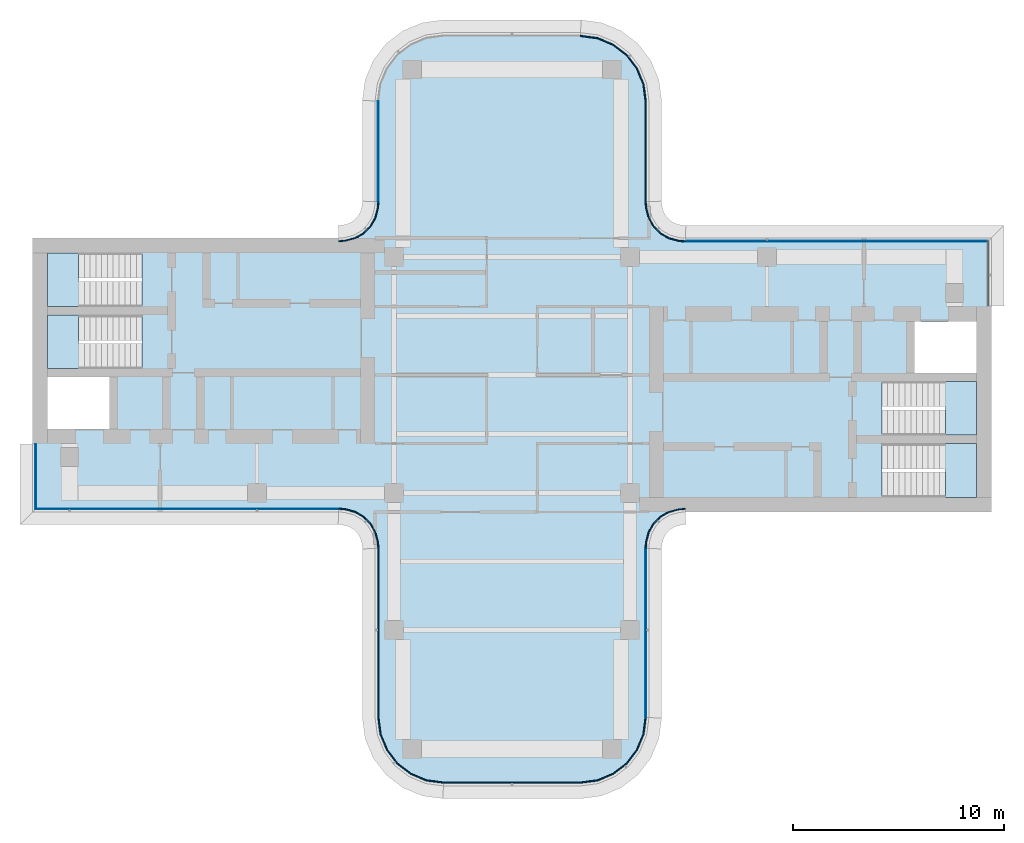
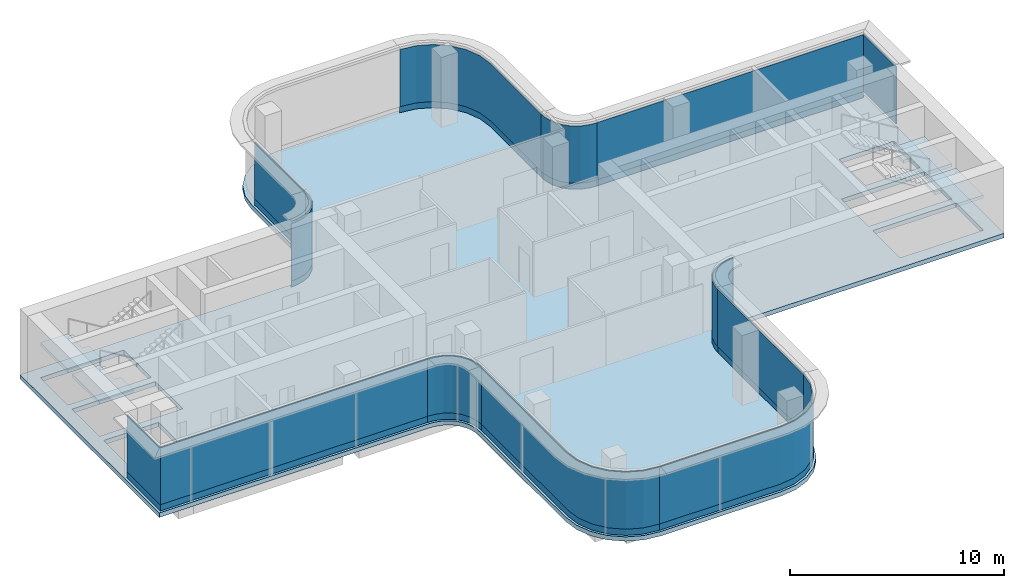
# One storey, part 7 of 11: 25 plates, 5 slabs, 17 elements without a shape of their own.
"""IFC4 building model written with IfcOpenShell, lengths in metres."""

from ifc_helpers import new_model, si_unit, direction, frame, origin, place, context, subcontext, project, spatial, polyline, outline, extrude, source, transform, mapped, material, layer, layer_set, type_object, element, aggregate, save


model = new_model("IFC4")

# Units and contexts
model_context = context("Model", 3, precision=1e-05, world=origin(), true_north=direction((0.0, 1.0)))
body_context = subcontext(model_context, "Body", "Model", "MODEL_VIEW")
ifc_project = project(units=[si_unit("LENGTHUNIT", "METRE"), si_unit("AREAUNIT", "SQUARE_METRE"), si_unit("VOLUMEUNIT", "CUBIC_METRE"), si_unit("PLANEANGLEUNIT", "RADIAN"), si_unit("MASSUNIT", "GRAM", prefix="KILO")], contexts=[model_context])

# Site, building, storey
site_placement = place(None, origin())
site = spatial("IfcSite", under=ifc_project, at=site_placement, CompositionType="ELEMENT")
building_placement = place(site_placement, origin())
building = spatial("IfcBuilding", under=site, at=building_placement, Name="Trellis Farm Tower", CompositionType="ELEMENT")
storey_placement = place(building_placement, frame((0.0, 0.0, 342.10009765625)))
storey = spatial("IfcBuildingStorey", under=building, at=storey_placement, Name="L77", CompositionType="ELEMENT", Elevation=342.10009765625)

# Curtain wall, plates
ifc_material_1 = material(Name="Aluminium and glass curtain wall", Category="aluminium")
ifc_layer_1 = layer(ifc_material_1, 0.176025390625)
ifc_layer_set_1 = layer_set([ifc_layer_1], Name="CROWN LANTERN CURTAIN WALL CW5")
curtain_wall_type = type_object("IfcCurtainWallType", Name="CROWN LANTERN CURTAIN WALL CW5", PredefinedType="NOTDEFINED", material=ifc_layer_set_1)
placement_1 = place(storey_placement, origin())
curtain_wall_1 = element("IfcCurtainWall", 1, at=placement_1, inside=storey, type_object=curtain_wall_type, Name="CW5 002", PredefinedType="NOTDEFINED")
ifc_material_2 = material(Name="Clear insulated glass", Category="glass")
ifc_layer_2 = layer(ifc_material_2, 0.055908203125)
ifc_layer_set_2 = layer_set([ifc_layer_2], Name="CW5 GLASS PANEL 56")
plate_type_1 = type_object("IfcPlateType", Name="CW5 GLASS PANEL 56", PredefinedType="CURTAIN_PANEL", material=ifc_layer_set_2)
placement_2 = place(storey_placement, frame((0.0, 0.0, 0.349853515625)))
plate_1 = element("IfcPlate", 2, at=placement_2, type_object=plate_type_1, Name="PL5 002", PredefinedType="CURTAIN_PANEL", context=body_context, shape_type="SweptSolid", body=[
    extrude(outline(polyline([(-3.2421875, -19.3798828125), (3.2421875, -19.3798828125), (4.059814453125, -19.2724609375), (4.814453125, -18.959716796875), (5.46240234375, -18.46240234375), (5.959716796875, -17.814453125), (6.2724609375, -17.059814453125), (6.3798828125, -16.2421875), (6.323974609375, -16.238525390625), (6.2177734375, -17.045166015625), (5.910888671875, -17.7861328125), (5.422607421875, -18.422607421875), (4.7861328125, -18.910888671875), (4.045166015625, -19.2177734375), (3.238525390625, -19.323974609375), (-3.238525390625, -19.323974609375), (-3.2421875, -19.3798828125)])), origin(), (0.0, 0.0, 1.0), 3.25),
])
ifc_material_3 = material(Name="Sandstone faced insulated panel", Category="masonry")
ifc_layer_3 = layer(ifc_material_3, 0.044921875)
ifc_layer_set_3 = layer_set([ifc_layer_3], Name="CW5 STONE SPANDREL PANEL 45")
plate_type_2 = type_object("IfcPlateType", Name="CW5 STONE SPANDREL PANEL 45", PredefinedType="CURTAIN_PANEL", material=ifc_layer_set_3)
plate_2 = element("IfcPlate", 3, at=placement_1, type_object=plate_type_2, Name="PS5 002", PredefinedType="CURTAIN_PANEL", context=body_context, shape_type="SweptSolid", body=[
    extrude(outline(polyline([(-3.2421875, -19.3798828125), (3.2421875, -19.3798828125), (4.059814453125, -19.2724609375), (4.814453125, -18.959716796875), (5.46240234375, -18.46240234375), (5.959716796875, -17.814453125), (6.2724609375, -17.059814453125), (6.3798828125, -16.2421875), (6.3349609375, -16.2392578125), (6.228515625, -17.048095703125), (5.92041015625, -17.791748046875), (5.430419921875, -18.430419921875), (4.791748046875, -18.92041015625), (4.048095703125, -19.228515625), (3.2392578125, -19.3349609375), (-3.2392578125, -19.3349609375), (-3.2421875, -19.3798828125)])), origin(), (0.0, 0.0, 1.0), 0.349853515625),
])
aggregate(curtain_wall_1, [plate_1, plate_2])

# Slab
ifc_material_4 = material(Name="Concrete C40/50", Category="concrete")
ifc_layer_4 = layer(ifc_material_4, 0.25)
ifc_layer_set_4 = layer_set([ifc_layer_4], Name="Composite deck floor slab 250")
slab_type_1 = type_object("IfcSlabType", Name="Composite deck floor slab 250", PredefinedType="FLOOR", material=ifc_layer_set_4)
shared_shape_1 = source(origin(), body_context, "Body", "SweptSolid", [
    extrude(outline(polyline([(-22.75, 6.5), (-8.2314453125, 6.5), (-8.01953125, 6.513916015625), (-7.91552734375, 6.527587890625), (-7.508544921875, 6.63671875), (-7.144287109375, 6.846923828125), (-6.846923828125, 7.144287109375), (-6.63671875, 7.508544921875), (-6.527587890625, 7.91552734375), (-6.513916015625, 8.01953125), (-6.5, 8.2314453125), (-6.5, 13.0), (-6.389404296875, 13.84130859375), (-6.064697265625, 14.625), (-5.548095703125, 15.298095703125), (-4.875, 15.814697265625), (-4.09130859375, 16.139404296875), (-3.25, 16.25), (3.25, 16.25), (4.09130859375, 16.139404296875), (4.875, 15.814697265625), (5.548095703125, 15.298095703125), (6.064697265625, 14.625), (6.389404296875, 13.84130859375), (6.5, 13.0), (6.5, 8.2314453125), (6.513916015625, 8.01953125), (6.527587890625, 7.91552734375), (6.63671875, 7.508544921875), (6.846923828125, 7.144287109375), (7.144287109375, 6.846923828125), (7.508544921875, 6.63671875), (7.91552734375, 6.527587890625), (8.01953125, 6.513916015625), (8.2314453125, 6.5), (22.75, 6.5), (22.75, -6.5), (8.2314453125, -6.5), (8.01953125, -6.513916015625), (7.91552734375, -6.527587890625), (7.508544921875, -6.63671875), (7.144287109375, -6.846923828125), (6.846923828125, -7.144287109375), (6.63671875, -7.508544921875), (6.527587890625, -7.91552734375), (6.513916015625, -8.01953125), (6.5, -8.2314453125), (6.5, -16.25), (6.389404296875, -17.09130859375), (6.064697265625, -17.875), (5.548095703125, -18.548095703125), (4.875, -19.064697265625), (4.09130859375, -19.389404296875), (3.25, -19.5), (-3.25, -19.5), (-4.09130859375, -19.389404296875), (-4.875, -19.064697265625), (-5.548095703125, -18.548095703125), (-6.064697265625, -17.875), (-6.389404296875, -17.09130859375), (-6.5, -16.25), (-6.5, -8.2314453125), (-6.513916015625, -8.01953125), (-6.527587890625, -7.91552734375), (-6.63671875, -7.508544921875), (-6.846923828125, -7.144287109375), (-7.144287109375, -6.846923828125), (-7.508544921875, -6.63671875), (-7.91552734375, -6.527587890625), (-8.01953125, -6.513916015625), (-8.2314453125, -6.5), (-22.75, -6.5), (-22.75, 6.5)]), holes=[polyline([(22.050048828125, -5.800048828125), (22.050048828125, -3.25), (17.56005859375, -3.25), (17.56005859375, -4.449951171875), (17.550048828125, -4.449951171875), (17.550048828125, -4.60009765625), (17.56201171875, -4.60009765625), (17.56201171875, -5.800048828125), (22.050048828125, -5.800048828125)]), polyline([(17.56201171875, -2.85009765625), (22.050048828125, -2.85009765625), (22.050048828125, -0.300048828125), (17.56005859375, -0.300048828125), (17.56005859375, -1.5), (17.550048828125, -1.5), (17.550048828125, -1.64990234375), (17.56201171875, -1.64990234375), (17.56201171875, -2.85009765625)]), polyline([(-22.050048828125, -2.550048828125), (-19.10009765625, -2.550048828125), (-19.10009765625, -0.10009765625), (-22.050048828125, -0.10009765625), (-22.050048828125, -2.550048828125)]), polyline([(19.10009765625, 2.550048828125), (19.10009765625, 0.10009765625), (22.050048828125, 0.10009765625), (22.050048828125, 2.550048828125), (19.10009765625, 2.550048828125)]), polyline([(-17.56201171875, 2.85009765625), (-22.050048828125, 2.85009765625), (-22.050048828125, 0.300048828125), (-17.56005859375, 0.300048828125), (-17.56005859375, 1.5), (-17.550048828125, 1.5), (-17.550048828125, 1.64990234375), (-17.56201171875, 1.64990234375), (-17.56201171875, 2.85009765625)]), polyline([(-17.56201171875, 5.800048828125), (-22.050048828125, 5.800048828125), (-22.050048828125, 3.25), (-17.56005859375, 3.25), (-17.56005859375, 4.449951171875), (-17.550048828125, 4.449951171875), (-17.550048828125, 4.60009765625), (-17.56201171875, 4.60009765625), (-17.56201171875, 5.800048828125)])]), origin(), (0.0, 0.0, 1.0), 0.25),
])
slab_1_placement = place(storey_placement, frame((0.0, 0.0, -0.25)))
element("IfcSlab", 4, at=slab_1_placement, inside=storey, type_object=slab_type_1, Name="Floor slab", PredefinedType="FLOOR", context=body_context, shape_type="MappedRepresentation", body=[
    mapped(shared_shape_1, transform((0.0, 0.0, 0.0))),
])

# Stair, slab
ifc_material_5 = material(Name="Concrete C50/60", Category="concrete")
stair_type = type_object("IfcStairType", Name="CORE EXIT STAIR 24 RISERS 167 MM", PredefinedType="HALF_TURN_STAIR", material=ifc_material_5)
stair_1 = element("IfcStair", 5, at=placement_1, inside=storey, type_object=stair_type, Name="Exit stair E1", PredefinedType="HALF_TURN_STAIR")
ifc_layer_5 = layer(ifc_material_5, 0.179931640625)
ifc_layer_set_5 = layer_set([ifc_layer_5], Name="CORE STAIR LANDING 180 CONCRETE C50/60")
slab_type_2 = type_object("IfcSlabType", Name="CORE STAIR LANDING 180 CONCRETE C50/60", PredefinedType="LANDING", material=ifc_layer_set_5)
shared_shape_2 = source(origin(), body_context, "Body", "SweptSolid", [
    extrude(outline(polyline([(20.56494140625, -5.800048828125), (20.56494140625, -4.60009765625), (20.574951171875, -4.60009765625), (20.574951171875, -4.449951171875), (20.21240234375, -4.449951171875), (20.21240234375, -3.25), (20.574951171875, -3.25), (22.050048828125, -3.25), (22.050048828125, -5.800048828125), (20.574951171875, -5.800048828125), (20.56494140625, -5.800048828125)])), origin(), (0.0, 0.0, 1.0), 0.18017578125),
])
placement_3 = place(storey_placement, frame((0.0, 0.0, 1.81982421875)))
slab_2 = element("IfcSlab", 6, at=placement_3, type_object=slab_type_2, Name="STE1 landing 1", PredefinedType="LANDING", context=body_context, shape_type="MappedRepresentation", body=[
    mapped(shared_shape_2, transform((0.0, 0.0, 0.0))),
])
aggregate(stair_1, [slab_2])

stair_2 = element("IfcStair", 7, at=placement_1, inside=storey, type_object=stair_type, Name="Exit stair E2", PredefinedType="HALF_TURN_STAIR")
shared_shape_3 = source(origin(), body_context, "Body", "SweptSolid", [
    extrude(outline(polyline([(20.56494140625, -2.85009765625), (20.56494140625, -1.64990234375), (20.574951171875, -1.64990234375), (20.574951171875, -1.5), (20.21240234375, -1.5), (20.21240234375, -0.300048828125), (20.574951171875, -0.300048828125), (22.050048828125, -0.300048828125), (22.050048828125, -2.85009765625), (20.574951171875, -2.85009765625), (20.56494140625, -2.85009765625)])), origin(), (0.0, 0.0, 1.0), 0.18017578125),
])
slab_3 = element("IfcSlab", 8, at=placement_3, type_object=slab_type_2, Name="STE2 landing 1", PredefinedType="LANDING", context=body_context, shape_type="MappedRepresentation", body=[
    mapped(shared_shape_3, transform((0.0, 0.0, 0.0))),
])
aggregate(stair_2, [slab_3])

stair_3 = element("IfcStair", 9, at=placement_1, inside=storey, type_object=stair_type, Name="Exit stair W1", PredefinedType="HALF_TURN_STAIR")
shared_shape_4 = source(origin(), body_context, "Body", "SweptSolid", [
    extrude(outline(polyline([(-20.21240234375, 4.449951171875), (-20.21240234375, 3.25), (-20.574951171875, 3.25), (-22.050048828125, 3.25), (-22.050048828125, 5.800048828125), (-20.574951171875, 5.800048828125), (-20.56494140625, 5.800048828125), (-20.56494140625, 4.60009765625), (-20.574951171875, 4.60009765625), (-20.574951171875, 4.449951171875), (-20.21240234375, 4.449951171875)])), origin(), (0.0, 0.0, 1.0), 0.18017578125),
])
slab_4 = element("IfcSlab", 10, at=placement_3, type_object=slab_type_2, Name="STW1 landing 1", PredefinedType="LANDING", context=body_context, shape_type="MappedRepresentation", body=[
    mapped(shared_shape_4, transform((0.0, 0.0, 0.0))),
])
aggregate(stair_3, [slab_4])

stair_4 = element("IfcStair", 11, at=placement_1, inside=storey, type_object=stair_type, Name="Exit stair W2", PredefinedType="HALF_TURN_STAIR")
shared_shape_5 = source(origin(), body_context, "Body", "SweptSolid", [
    extrude(outline(polyline([(-20.21240234375, 1.5), (-20.21240234375, 0.300048828125), (-20.574951171875, 0.300048828125), (-22.050048828125, 0.300048828125), (-22.050048828125, 2.85009765625), (-20.574951171875, 2.85009765625), (-20.56494140625, 2.85009765625), (-20.56494140625, 1.64990234375), (-20.574951171875, 1.64990234375), (-20.574951171875, 1.5), (-20.21240234375, 1.5)])), origin(), (0.0, 0.0, 1.0), 0.18017578125),
])
slab_5 = element("IfcSlab", 12, at=placement_3, type_object=slab_type_2, Name="STW2 landing 1", PredefinedType="LANDING", context=body_context, shape_type="MappedRepresentation", body=[
    mapped(shared_shape_5, transform((0.0, 0.0, 0.0))),
])
aggregate(stair_4, [slab_5])

# Curtain wall, plates
curtain_wall_2 = element("IfcCurtainWall", 13, at=placement_1, inside=storey, type_object=curtain_wall_type, Name="CW5 001", PredefinedType="NOTDEFINED")
shared_shape_6 = source(origin(), body_context, "Body", "SweptSolid", [
    extrude(outline(polyline([(-6.3798828125, -8.2275390625), (-6.3798828125, -16.2421875), (-6.2724609375, -17.059814453125), (-5.959716796875, -17.814453125), (-5.46240234375, -18.46240234375), (-4.814453125, -18.959716796875), (-4.059814453125, -19.2724609375), (-3.2421875, -19.3798828125), (-3.238525390625, -19.323974609375), (-4.045166015625, -19.2177734375), (-4.7861328125, -18.910888671875), (-5.422607421875, -18.422607421875), (-5.910888671875, -17.7861328125), (-6.2177734375, -17.045166015625), (-6.323974609375, -16.238525390625), (-6.323974609375, -8.2255859375), (-6.3798828125, -8.2275390625)])), origin(), (0.0, 0.0, 1.0), 3.25),
])
plate_3 = element("IfcPlate", 14, at=placement_2, type_object=plate_type_1, Name="PL5 001", PredefinedType="CURTAIN_PANEL", context=body_context, shape_type="MappedRepresentation", body=[
    mapped(shared_shape_6, transform((0.0, 0.0, 0.0))),
])
shared_shape_7 = source(origin(), body_context, "Body", "SweptSolid", [
    extrude(outline(polyline([(-6.3798828125, -8.2275390625), (-6.3798828125, -16.2421875), (-6.2724609375, -17.059814453125), (-5.959716796875, -17.814453125), (-5.46240234375, -18.46240234375), (-4.814453125, -18.959716796875), (-4.059814453125, -19.2724609375), (-3.2421875, -19.3798828125), (-3.2392578125, -19.3349609375), (-4.048095703125, -19.228515625), (-4.791748046875, -18.92041015625), (-5.430419921875, -18.430419921875), (-5.92041015625, -17.791748046875), (-6.228515625, -17.048095703125), (-6.3349609375, -16.2392578125), (-6.3349609375, -8.22607421875), (-6.3798828125, -8.2275390625)])), origin(), (0.0, 0.0, 1.0), 0.349853515625),
])
plate_4 = element("IfcPlate", 15, at=placement_1, type_object=plate_type_2, Name="PS5 001", PredefinedType="CURTAIN_PANEL", context=body_context, shape_type="MappedRepresentation", body=[
    mapped(shared_shape_7, transform((0.0, 0.0, 0.0))),
])
aggregate(curtain_wall_2, [plate_3, plate_4])

curtain_wall_3 = element("IfcCurtainWall", 16, at=placement_1, inside=storey, type_object=curtain_wall_type, Name="CW5 003", PredefinedType="NOTDEFINED")
shared_shape_8 = source(origin(), body_context, "Body", "SweptSolid", [
    extrude(outline(polyline([(6.3798828125, -16.2421875), (6.3798828125, -8.2275390625), (6.323974609375, -8.2255859375), (6.323974609375, -16.238525390625), (6.3798828125, -16.2421875)])), origin(), (0.0, 0.0, 1.0), 3.25),
])
plate_5 = element("IfcPlate", 17, at=placement_2, type_object=plate_type_1, Name="PL5 003", PredefinedType="CURTAIN_PANEL", context=body_context, shape_type="MappedRepresentation", body=[
    mapped(shared_shape_8, transform((0.0, 0.0, 0.0))),
])
shared_shape_9 = source(origin(), body_context, "Body", "SweptSolid", [
    extrude(outline(polyline([(6.3798828125, -16.2421875), (6.3798828125, -8.2275390625), (6.3349609375, -8.22607421875), (6.3349609375, -16.2392578125), (6.3798828125, -16.2421875)])), origin(), (0.0, 0.0, 1.0), 0.349853515625),
])
plate_6 = element("IfcPlate", 18, at=placement_1, type_object=plate_type_2, Name="PS5 003", PredefinedType="CURTAIN_PANEL", context=body_context, shape_type="MappedRepresentation", body=[
    mapped(shared_shape_9, transform((0.0, 0.0, 0.0))),
])
aggregate(curtain_wall_3, [plate_5, plate_6])

curtain_wall_4 = element("IfcCurtainWall", 19, at=placement_1, inside=storey, type_object=curtain_wall_type, Name="CW5 004", PredefinedType="NOTDEFINED")
shared_shape_10 = source(origin(), body_context, "Body", "SweptSolid", [
    extrude(outline(polyline([(6.3798828125, -8.2275390625), (6.394287109375, -8.0078125), (6.40966796875, -7.89208984375), (6.52490234375, -7.462158203125), (6.7509765625, -7.070556640625), (7.070556640625, -6.7509765625), (7.462158203125, -6.52490234375), (7.89208984375, -6.40966796875), (8.0078125, -6.394287109375), (8.2275390625, -6.3798828125), (8.2255859375, -6.323974609375), (8.002197265625, -6.338623046875), (7.881103515625, -6.3544921875), (7.440673828125, -6.47265625), (7.0361328125, -6.7060546875), (6.7060546875, -7.0361328125), (6.47265625, -7.440673828125), (6.3544921875, -7.881103515625), (6.338623046875, -8.002197265625), (6.323974609375, -8.2255859375), (6.3798828125, -8.2275390625)])), origin(), (0.0, 0.0, 1.0), 3.25),
])
plate_7 = element("IfcPlate", 20, at=placement_2, type_object=plate_type_1, Name="PL5 004", PredefinedType="CURTAIN_PANEL", context=body_context, shape_type="MappedRepresentation", body=[
    mapped(shared_shape_10, transform((0.0, 0.0, 0.0))),
])
shared_shape_11 = source(origin(), body_context, "Body", "SweptSolid", [
    extrude(outline(polyline([(6.3798828125, -8.2275390625), (6.394287109375, -8.0078125), (6.40966796875, -7.89208984375), (6.52490234375, -7.462158203125), (6.7509765625, -7.070556640625), (7.070556640625, -6.7509765625), (7.462158203125, -6.52490234375), (7.89208984375, -6.40966796875), (8.0078125, -6.394287109375), (8.2275390625, -6.3798828125), (8.22607421875, -6.3349609375), (8.00341796875, -6.349609375), (7.88330078125, -6.365478515625), (7.44482421875, -6.48291015625), (7.04296875, -6.71484375), (6.71484375, -7.04296875), (6.48291015625, -7.44482421875), (6.365478515625, -7.88330078125), (6.349609375, -8.00341796875), (6.3349609375, -8.22607421875), (6.3798828125, -8.2275390625)])), origin(), (0.0, 0.0, 1.0), 0.349853515625),
])
plate_8 = element("IfcPlate", 21, at=placement_1, type_object=plate_type_2, Name="PS5 004", PredefinedType="CURTAIN_PANEL", context=body_context, shape_type="MappedRepresentation", body=[
    mapped(shared_shape_11, transform((0.0, 0.0, 0.0))),
])
aggregate(curtain_wall_4, [plate_7, plate_8])

curtain_wall_5 = element("IfcCurtainWall", 22, at=placement_1, inside=storey, type_object=curtain_wall_type, Name="CW5 006", PredefinedType="NOTDEFINED")
shared_shape_12 = source(origin(), body_context, "Body", "SweptSolid", [
    extrude(outline(polyline([(22.6298828125, 6.3798828125), (8.2275390625, 6.3798828125), (8.2255859375, 6.323974609375), (22.573974609375, 6.323974609375), (22.6298828125, 6.3798828125)])), origin(), (0.0, 0.0, 1.0), 3.25),
])
plate_9 = element("IfcPlate", 23, at=placement_2, type_object=plate_type_1, Name="PL5 006", PredefinedType="CURTAIN_PANEL", context=body_context, shape_type="MappedRepresentation", body=[
    mapped(shared_shape_12, transform((0.0, 0.0, 0.0))),
])
shared_shape_13 = source(origin(), body_context, "Body", "SweptSolid", [
    extrude(outline(polyline([(22.6298828125, 6.3798828125), (8.2275390625, 6.3798828125), (8.22607421875, 6.3349609375), (22.5849609375, 6.3349609375), (22.6298828125, 6.3798828125)])), origin(), (0.0, 0.0, 1.0), 0.349853515625),
])
plate_10 = element("IfcPlate", 24, at=placement_1, type_object=plate_type_2, Name="PS5 006", PredefinedType="CURTAIN_PANEL", context=body_context, shape_type="MappedRepresentation", body=[
    mapped(shared_shape_13, transform((0.0, 0.0, 0.0))),
])
aggregate(curtain_wall_5, [plate_9, plate_10])

curtain_wall_6 = element("IfcCurtainWall", 25, at=placement_1, inside=storey, type_object=curtain_wall_type, Name="CW5 007", PredefinedType="NOTDEFINED")
shared_shape_14 = source(origin(), body_context, "Body", "SweptSolid", [
    extrude(outline(polyline([(8.2275390625, 6.3798828125), (8.0078125, 6.394287109375), (7.89208984375, 6.40966796875), (7.462158203125, 6.52490234375), (7.070556640625, 6.7509765625), (6.7509765625, 7.070556640625), (6.52490234375, 7.462158203125), (6.40966796875, 7.89208984375), (6.394287109375, 8.0078125), (6.3798828125, 8.2275390625), (6.323974609375, 8.2255859375), (6.338623046875, 8.002197265625), (6.3544921875, 7.881103515625), (6.47265625, 7.440673828125), (6.7060546875, 7.0361328125), (7.0361328125, 6.7060546875), (7.440673828125, 6.47265625), (7.881103515625, 6.3544921875), (8.002197265625, 6.338623046875), (8.2255859375, 6.323974609375), (8.2275390625, 6.3798828125)])), origin(), (0.0, 0.0, 1.0), 3.25),
])
plate_11 = element("IfcPlate", 26, at=placement_2, type_object=plate_type_1, Name="PL5 007", PredefinedType="CURTAIN_PANEL", context=body_context, shape_type="MappedRepresentation", body=[
    mapped(shared_shape_14, transform((0.0, 0.0, 0.0))),
])
shared_shape_15 = source(origin(), body_context, "Body", "SweptSolid", [
    extrude(outline(polyline([(8.2275390625, 6.3798828125), (8.0078125, 6.394287109375), (7.89208984375, 6.40966796875), (7.462158203125, 6.52490234375), (7.070556640625, 6.7509765625), (6.7509765625, 7.070556640625), (6.52490234375, 7.462158203125), (6.40966796875, 7.89208984375), (6.394287109375, 8.0078125), (6.3798828125, 8.2275390625), (6.3349609375, 8.22607421875), (6.349609375, 8.00341796875), (6.365478515625, 7.88330078125), (6.48291015625, 7.44482421875), (6.71484375, 7.04296875), (7.04296875, 6.71484375), (7.44482421875, 6.48291015625), (7.88330078125, 6.365478515625), (8.00341796875, 6.349609375), (8.22607421875, 6.3349609375), (8.2275390625, 6.3798828125)])), origin(), (0.0, 0.0, 1.0), 0.349853515625),
])
plate_12 = element("IfcPlate", 27, at=placement_1, type_object=plate_type_2, Name="PS5 007", PredefinedType="CURTAIN_PANEL", context=body_context, shape_type="MappedRepresentation", body=[
    mapped(shared_shape_15, transform((0.0, 0.0, 0.0))),
])
aggregate(curtain_wall_6, [plate_11, plate_12])

curtain_wall_7 = element("IfcCurtainWall", 28, at=placement_1, inside=storey, type_object=curtain_wall_type, Name="CW5 008", PredefinedType="NOTDEFINED")
shared_shape_16 = source(origin(), body_context, "Body", "SweptSolid", [
    extrude(outline(polyline([(6.3798828125, 8.2275390625), (6.3798828125, 12.9921875), (6.2724609375, 13.809814453125), (5.959716796875, 14.564453125), (5.46240234375, 15.21240234375), (4.814453125, 15.709716796875), (4.059814453125, 16.0224609375), (3.2421875, 16.1298828125), (3.238525390625, 16.073974609375), (4.045166015625, 15.9677734375), (4.7861328125, 15.660888671875), (5.422607421875, 15.172607421875), (5.910888671875, 14.5361328125), (6.2177734375, 13.795166015625), (6.323974609375, 12.988525390625), (6.323974609375, 8.2255859375), (6.3798828125, 8.2275390625)])), origin(), (0.0, 0.0, 1.0), 3.25),
])
plate_13 = element("IfcPlate", 29, at=placement_2, type_object=plate_type_1, Name="PL5 008", PredefinedType="CURTAIN_PANEL", context=body_context, shape_type="MappedRepresentation", body=[
    mapped(shared_shape_16, transform((0.0, 0.0, 0.0))),
])
shared_shape_17 = source(origin(), body_context, "Body", "SweptSolid", [
    extrude(outline(polyline([(6.3798828125, 8.2275390625), (6.3798828125, 12.9921875), (6.2724609375, 13.809814453125), (5.959716796875, 14.564453125), (5.46240234375, 15.21240234375), (4.814453125, 15.709716796875), (4.059814453125, 16.0224609375), (3.2421875, 16.1298828125), (3.2392578125, 16.0849609375), (4.048095703125, 15.978515625), (4.791748046875, 15.67041015625), (5.430419921875, 15.180419921875), (5.92041015625, 14.541748046875), (6.228515625, 13.798095703125), (6.3349609375, 12.9892578125), (6.3349609375, 8.22607421875), (6.3798828125, 8.2275390625)])), origin(), (0.0, 0.0, 1.0), 0.349853515625),
])
plate_14 = element("IfcPlate", 30, at=placement_1, type_object=plate_type_2, Name="PS5 008", PredefinedType="CURTAIN_PANEL", context=body_context, shape_type="MappedRepresentation", body=[
    mapped(shared_shape_17, transform((0.0, 0.0, 0.0))),
])
aggregate(curtain_wall_7, [plate_13, plate_14])

curtain_wall_8 = element("IfcCurtainWall", 31, at=placement_1, inside=storey, type_object=curtain_wall_type, Name="CW5 010", PredefinedType="NOTDEFINED")
shared_shape_18 = source(origin(), body_context, "Body", "SweptSolid", [
    extrude(outline(polyline([(-6.3798828125, 12.9921875), (-6.3798828125, 8.2275390625), (-6.323974609375, 8.2255859375), (-6.323974609375, 12.988525390625), (-6.3798828125, 12.9921875)])), origin(), (0.0, 0.0, 1.0), 3.25),
])
plate_15 = element("IfcPlate", 32, at=placement_2, type_object=plate_type_1, Name="PL5 010", PredefinedType="CURTAIN_PANEL", context=body_context, shape_type="MappedRepresentation", body=[
    mapped(shared_shape_18, transform((0.0, 0.0, 0.0))),
])
shared_shape_19 = source(origin(), body_context, "Body", "SweptSolid", [
    extrude(outline(polyline([(-6.3798828125, 12.9921875), (-6.3798828125, 8.2275390625), (-6.3349609375, 8.22607421875), (-6.3349609375, 12.9892578125), (-6.3798828125, 12.9921875)])), origin(), (0.0, 0.0, 1.0), 0.349853515625),
])
plate_16 = element("IfcPlate", 33, at=placement_1, type_object=plate_type_2, Name="PS5 010", PredefinedType="CURTAIN_PANEL", context=body_context, shape_type="MappedRepresentation", body=[
    mapped(shared_shape_19, transform((0.0, 0.0, 0.0))),
])
aggregate(curtain_wall_8, [plate_15, plate_16])

curtain_wall_9 = element("IfcCurtainWall", 34, at=placement_1, inside=storey, type_object=curtain_wall_type, Name="CW5 011", PredefinedType="NOTDEFINED")
shared_shape_20 = source(origin(), body_context, "Body", "SweptSolid", [
    extrude(outline(polyline([(-6.3798828125, 8.2275390625), (-6.394287109375, 8.0078125), (-6.40966796875, 7.89208984375), (-6.52490234375, 7.462158203125), (-6.7509765625, 7.070556640625), (-7.070556640625, 6.7509765625), (-7.462158203125, 6.52490234375), (-7.89208984375, 6.40966796875), (-8.0078125, 6.394287109375), (-8.2275390625, 6.3798828125), (-8.2255859375, 6.323974609375), (-8.002197265625, 6.338623046875), (-7.881103515625, 6.3544921875), (-7.440673828125, 6.47265625), (-7.0361328125, 6.7060546875), (-6.7060546875, 7.0361328125), (-6.47265625, 7.440673828125), (-6.3544921875, 7.881103515625), (-6.338623046875, 8.002197265625), (-6.323974609375, 8.2255859375), (-6.3798828125, 8.2275390625)])), origin(), (0.0, 0.0, 1.0), 3.25),
])
plate_17 = element("IfcPlate", 35, at=placement_2, type_object=plate_type_1, Name="PL5 011", PredefinedType="CURTAIN_PANEL", context=body_context, shape_type="MappedRepresentation", body=[
    mapped(shared_shape_20, transform((0.0, 0.0, 0.0))),
])
shared_shape_21 = source(origin(), body_context, "Body", "SweptSolid", [
    extrude(outline(polyline([(-6.3798828125, 8.2275390625), (-6.394287109375, 8.0078125), (-6.40966796875, 7.89208984375), (-6.52490234375, 7.462158203125), (-6.7509765625, 7.070556640625), (-7.070556640625, 6.7509765625), (-7.462158203125, 6.52490234375), (-7.89208984375, 6.40966796875), (-8.0078125, 6.394287109375), (-8.2275390625, 6.3798828125), (-8.22607421875, 6.3349609375), (-8.00341796875, 6.349609375), (-7.88330078125, 6.365478515625), (-7.44482421875, 6.48291015625), (-7.04296875, 6.71484375), (-6.71484375, 7.04296875), (-6.48291015625, 7.44482421875), (-6.365478515625, 7.88330078125), (-6.349609375, 8.00341796875), (-6.3349609375, 8.22607421875), (-6.3798828125, 8.2275390625)])), origin(), (0.0, 0.0, 1.0), 0.349853515625),
])
plate_18 = element("IfcPlate", 36, at=placement_1, type_object=plate_type_2, Name="PS5 011", PredefinedType="CURTAIN_PANEL", context=body_context, shape_type="MappedRepresentation", body=[
    mapped(shared_shape_21, transform((0.0, 0.0, 0.0))),
])
aggregate(curtain_wall_9, [plate_17, plate_18])

curtain_wall_10 = element("IfcCurtainWall", 37, at=placement_1, inside=storey, type_object=curtain_wall_type, Name="CW5 013", PredefinedType="NOTDEFINED")
shared_shape_22 = source(origin(), body_context, "Body", "SweptSolid", [
    extrude(outline(polyline([(-22.6298828125, -6.3798828125), (-8.2275390625, -6.3798828125), (-8.2255859375, -6.323974609375), (-22.573974609375, -6.323974609375), (-22.6298828125, -6.3798828125)])), origin(), (0.0, 0.0, 1.0), 3.25),
])
plate_19 = element("IfcPlate", 38, at=placement_2, type_object=plate_type_1, Name="PL5 013", PredefinedType="CURTAIN_PANEL", context=body_context, shape_type="MappedRepresentation", body=[
    mapped(shared_shape_22, transform((0.0, 0.0, 0.0))),
])
shared_shape_23 = source(origin(), body_context, "Body", "SweptSolid", [
    extrude(outline(polyline([(-22.6298828125, -6.3798828125), (-8.2275390625, -6.3798828125), (-8.22607421875, -6.3349609375), (-22.5849609375, -6.3349609375), (-22.6298828125, -6.3798828125)])), origin(), (0.0, 0.0, 1.0), 0.349853515625),
])
plate_20 = element("IfcPlate", 39, at=placement_1, type_object=plate_type_2, Name="PS5 013", PredefinedType="CURTAIN_PANEL", context=body_context, shape_type="MappedRepresentation", body=[
    mapped(shared_shape_23, transform((0.0, 0.0, 0.0))),
])
aggregate(curtain_wall_10, [plate_19, plate_20])

curtain_wall_11 = element("IfcCurtainWall", 40, at=placement_1, inside=storey, type_object=curtain_wall_type, Name="CW5 014", PredefinedType="NOTDEFINED")
shared_shape_24 = source(origin(), body_context, "Body", "SweptSolid", [
    extrude(outline(polyline([(-8.2275390625, -6.3798828125), (-8.0078125, -6.394287109375), (-7.89208984375, -6.40966796875), (-7.462158203125, -6.52490234375), (-7.070556640625, -6.7509765625), (-6.7509765625, -7.070556640625), (-6.52490234375, -7.462158203125), (-6.40966796875, -7.89208984375), (-6.394287109375, -8.0078125), (-6.3798828125, -8.2275390625), (-6.323974609375, -8.2255859375), (-6.338623046875, -8.002197265625), (-6.3544921875, -7.881103515625), (-6.47265625, -7.440673828125), (-6.7060546875, -7.0361328125), (-7.0361328125, -6.7060546875), (-7.440673828125, -6.47265625), (-7.881103515625, -6.3544921875), (-8.002197265625, -6.338623046875), (-8.2255859375, -6.323974609375), (-8.2275390625, -6.3798828125)])), origin(), (0.0, 0.0, 1.0), 3.25),
])
plate_21 = element("IfcPlate", 41, at=placement_2, type_object=plate_type_1, Name="PL5 014", PredefinedType="CURTAIN_PANEL", context=body_context, shape_type="MappedRepresentation", body=[
    mapped(shared_shape_24, transform((0.0, 0.0, 0.0))),
])
shared_shape_25 = source(origin(), body_context, "Body", "SweptSolid", [
    extrude(outline(polyline([(-8.2275390625, -6.3798828125), (-8.0078125, -6.394287109375), (-7.89208984375, -6.40966796875), (-7.462158203125, -6.52490234375), (-7.070556640625, -6.7509765625), (-6.7509765625, -7.070556640625), (-6.52490234375, -7.462158203125), (-6.40966796875, -7.89208984375), (-6.394287109375, -8.0078125), (-6.3798828125, -8.2275390625), (-6.3349609375, -8.22607421875), (-6.349609375, -8.00341796875), (-6.365478515625, -7.88330078125), (-6.48291015625, -7.44482421875), (-6.71484375, -7.04296875), (-7.04296875, -6.71484375), (-7.44482421875, -6.48291015625), (-7.88330078125, -6.365478515625), (-8.00341796875, -6.349609375), (-8.22607421875, -6.3349609375), (-8.2275390625, -6.3798828125)])), origin(), (0.0, 0.0, 1.0), 0.349853515625),
])
plate_22 = element("IfcPlate", 42, at=placement_1, type_object=plate_type_2, Name="PS5 014", PredefinedType="CURTAIN_PANEL", context=body_context, shape_type="MappedRepresentation", body=[
    mapped(shared_shape_25, transform((0.0, 0.0, 0.0))),
])
aggregate(curtain_wall_11, [plate_21, plate_22])

# Curtain wall, plate
curtain_wall_12 = element("IfcCurtainWall", 43, at=placement_1, inside=storey, type_object=curtain_wall_type, Name="CW5 005", PredefinedType="NOTDEFINED")
shared_shape_26 = source(origin(), body_context, "Body", "SweptSolid", [
    extrude(outline(polyline([(22.6298828125, 3.280029296875), (22.6298828125, 6.3798828125), (22.573974609375, 6.323974609375), (22.573974609375, 3.280029296875), (22.6298828125, 3.280029296875)])), origin(), (0.0, 0.0, 1.0), 3.25),
])
plate_23 = element("IfcPlate", 44, at=placement_2, type_object=plate_type_1, Name="PL5 005", PredefinedType="CURTAIN_PANEL", context=body_context, shape_type="MappedRepresentation", body=[
    mapped(shared_shape_26, transform((0.0, 0.0, 0.0))),
])
aggregate(curtain_wall_12, [plate_23])

# Curtain wall, plates
curtain_wall_13 = element("IfcCurtainWall", 45, at=placement_1, inside=storey, type_object=curtain_wall_type, Name="CW5 012", PredefinedType="NOTDEFINED")
shared_shape_27 = source(origin(), body_context, "Body", "SweptSolid", [
    extrude(outline(polyline([(-22.6298828125, -3.280029296875), (-22.6298828125, -6.3798828125), (-22.573974609375, -6.323974609375), (-22.573974609375, -3.280029296875), (-22.6298828125, -3.280029296875)])), origin(), (0.0, 0.0, 1.0), 3.25),
])
plate_24 = element("IfcPlate", 46, at=placement_2, type_object=plate_type_1, Name="PL5 012", PredefinedType="CURTAIN_PANEL", context=body_context, shape_type="MappedRepresentation", body=[
    mapped(shared_shape_27, transform((0.0, 0.0, 0.0))),
])
shared_shape_28 = source(origin(), body_context, "Body", "SweptSolid", [
    extrude(outline(polyline([(-22.6298828125, -3.280029296875), (-22.6298828125, -6.3798828125), (-22.5849609375, -6.3349609375), (-22.5849609375, -3.280029296875), (-22.6298828125, -3.280029296875)])), origin(), (0.0, 0.0, 1.0), 0.349853515625),
])
plate_25 = element("IfcPlate", 47, at=placement_1, type_object=plate_type_2, Name="PS5 012", PredefinedType="CURTAIN_PANEL", context=body_context, shape_type="MappedRepresentation", body=[
    mapped(shared_shape_28, transform((0.0, 0.0, 0.0))),
])
aggregate(curtain_wall_13, [plate_24, plate_25])

save(model, "model.ifc")
